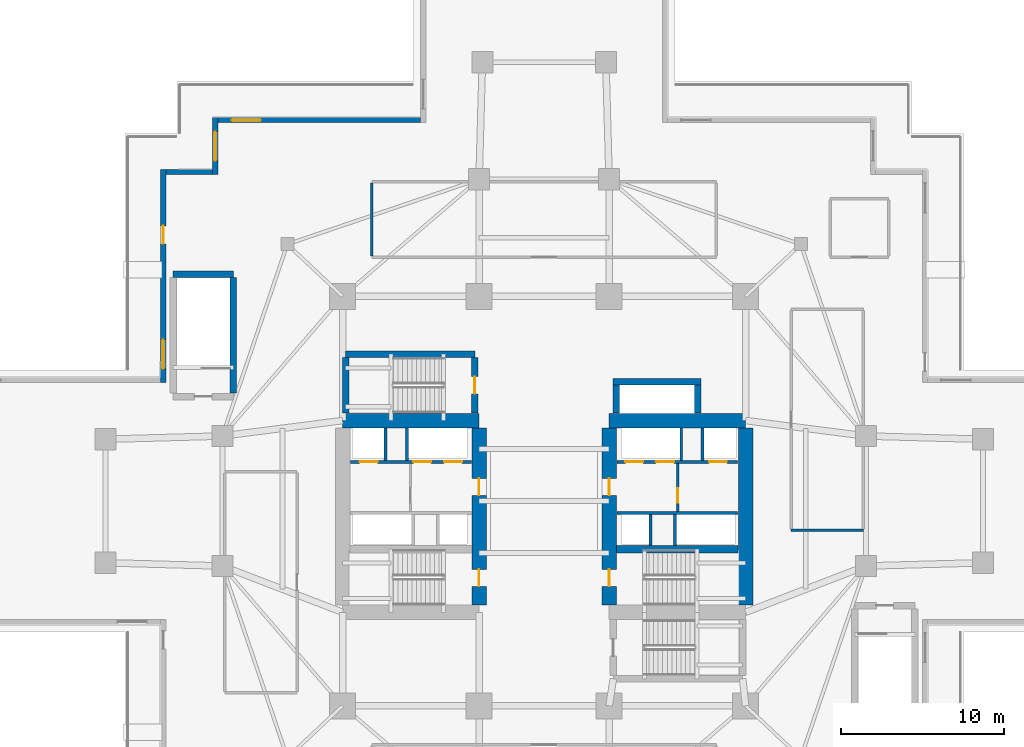
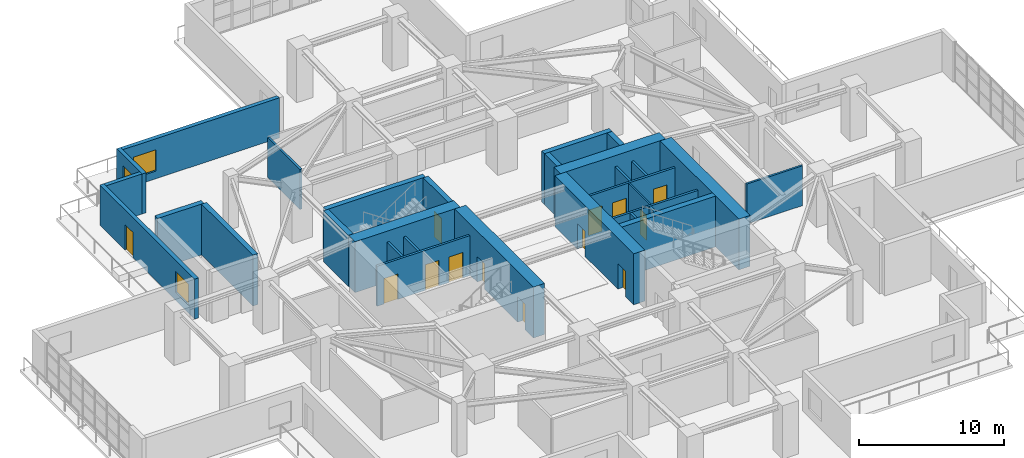
# One storey, part 16 of 24: 30 walls, 13 doors, 3 windows, 16 openings.
"""IFC4 building model written with IfcOpenShell, lengths in metres."""

from ifc_helpers import new_model, si_unit, direction, frame, frame_2d, origin, place, context, subcontext, project, spatial, rectangle, extrude, material, layer, layer_set, type_object, element, fill, save


model = new_model("IFC4")

# Units and contexts
model_context = context("Model", 3, precision=1e-05, world=origin(), true_north=direction((0.0, 1.0)))
body_context = subcontext(model_context, "Body", "Model", "MODEL_VIEW")
ifc_project = project(units=[si_unit("LENGTHUNIT", "METRE"), si_unit("AREAUNIT", "SQUARE_METRE"), si_unit("VOLUMEUNIT", "CUBIC_METRE"), si_unit("PLANEANGLEUNIT", "RADIAN"), si_unit("MASSUNIT", "GRAM", prefix="KILO")], contexts=[model_context])

# Site, building, storey
site_placement = place(None, origin())
site = spatial("IfcSite", under=ifc_project, at=site_placement, CompositionType="ELEMENT")
building_placement = place(site_placement, origin())
building = spatial("IfcBuilding", under=site, at=building_placement, Name="Qingluan Cross Belvedere", CompositionType="ELEMENT")
storey_placement = place(building_placement, frame((0.0, 0.0, 19.199951171875)))
storey = spatial("IfcBuildingStorey", under=building, at=storey_placement, Name="L05", CompositionType="ELEMENT", Elevation=19.199951171875)

# Walls
ifc_material_1 = material(Name="Concrete C50", Category="concrete")
ifc_layer_1 = layer(ifc_material_1, 0.449951171875, Name="CoreShearWall_450")
ifc_layer_set_1 = layer_set([ifc_layer_1], Name="Concrete C50")
wall_type_1 = type_object("IfcWallType", Name="CoreShearWall_450", PredefinedType="SHEAR", material=ifc_layer_set_1)
wall_1_placement = place(storey_placement, frame((4.455078125, -2.9599609375, 0.0), z_axis=(0.0, 0.0, 1.0), x_axis=(1.0, 0.0, 0.0)))
element("IfcWall", 1, at=wall_1_placement, inside=storey, type_object=wall_type_1, Name="Split core E shear wall L05-M", PredefinedType="SHEAR", context=body_context, shape_type="SweptSolid", body=[
    extrude(rectangle(XDim=7.489990234375, YDim=0.449951171875, at=frame_2d((3.7451171875, 0.0))), origin(), (0.0, 0.0, 1.0), 4.300048828125),
])
wall_2_placement = place(storey_placement, frame((-12.219970703125, 9.0400390625, 0.0), z_axis=(0.0, 0.0, 1.0), x_axis=(1.0, 0.0, 0.0)))
element("IfcWall", 2, at=wall_2_placement, inside=storey, type_object=wall_type_1, Name="Stair ST3 structural wall N L05", PredefinedType="SHEAR", context=body_context, shape_type="SweptSolid", body=[
    extrude(rectangle(XDim=7.9599609375, YDim=0.39990234375, at=frame_2d((3.97998046875, 0.0))), origin(), (0.0, 0.0, 1.0), 4.300048828125),
])
wall_3_placement = place(storey_placement, frame((-12.219970703125, 5.405029296875, 0.0), z_axis=(0.0, 0.0, 1.0), x_axis=(0.0, 1.0, 0.0)))
element("IfcWall", 3, at=wall_3_placement, inside=storey, type_object=wall_type_1, Name="Stair ST3 structural wall W L05", PredefinedType="SHEAR", context=body_context, shape_type="SweptSolid", body=[
    extrude(rectangle(XDim=3.429931640625, YDim=0.39990234375, at=frame_2d((1.71484375, 0.0))), origin(), (0.0, 0.0, 1.0), 4.300048828125),
])

# Wall, opening, door
wall_4_placement = place(storey_placement, frame((-4.260009765625, 5.405029296875, 0.0), z_axis=(0.0, 0.0, 1.0), x_axis=(0.0, 1.0, 0.0)))
wall_4 = element("IfcWall", 4, at=wall_4_placement, inside=storey, type_object=wall_type_1, Name="Stair ST3 structural wall E L05", PredefinedType="SHEAR", context=body_context, shape_type="SweptSolid", body=[
    extrude(rectangle(XDim=3.429931640625, YDim=0.39990234375, at=frame_2d((1.71484375, 0.0))), origin(), (0.0, 0.0, 1.0), 4.300048828125),
])
opening_1_placement = place(wall_4_placement, frame((1.195068359375, 0.0, 0.0)))
opening_1 = element("IfcOpeningElement", 5, at=opening_1_placement, cuts=wall_4, Name="Opening FD-B11", PredefinedType="OPENING", context=body_context, shape_type="SweptSolid", body=[
    extrude(rectangle(XDim=1.050048828125, YDim=2.14990234375, at=frame_2d((0.52490234375, 1.074951171875))), frame((0.0, 0.2099609375, 0.0), z_axis=(0.0, -1.0, 0.0), x_axis=(1.0, 0.0, 0.0)), (0.0, 0.0, 1.0), 0.419921875),
])
ifc_material_2 = material(Name="Steel Class B smoke-seal fire door", Category="steel")
door_type_1 = type_object("IfcDoorType", Name="StairLobbyFireDoor_FDB", OperationType="NOTDEFINED", PredefinedType="DOOR", material=ifc_material_2)
door_1_placement = place(opening_1_placement, origin())
door_1 = element("IfcDoor", 6, at=door_1_placement, inside=storey, type_object=door_type_1, Name="Smoke-proof stair ST3 fire door L05", OperationType="SINGLE_SWING_RIGHT", OverallHeight=2.14990234375, OverallWidth=1.050048828125, PredefinedType="DOOR", context=body_context, shape_type="SweptSolid", body=[
    extrude(rectangle(XDim=1.050048828125, YDim=2.14990234375, at=frame_2d((0.52490234375, 1.074951171875))), frame((0.0, 0.02490234375, 0.0), z_axis=(0.0, -1.0, 0.0), x_axis=(1.0, 0.0, 0.0)), (0.0, 0.0, 1.0), 0.050048828125),
])
fill(opening_1, door_1)

# Walls
wall_5_placement = place(storey_placement, frame((-22.820068359375, 13.949951171875, 0.0), z_axis=(0.0, 0.0, 1.0), x_axis=(1.0, 0.0, 0.0)))
element("IfcWall", 7, at=wall_5_placement, inside=storey, type_object=wall_type_1, Name="Stair ST5 structural wall N L05", PredefinedType="SHEAR", context=body_context, shape_type="SweptSolid", body=[
    extrude(rectangle(XDim=3.699951171875, YDim=0.39990234375, at=frame_2d((1.85009765625, 0.0))), origin(), (0.0, 0.0, 1.0), 4.300048828125),
])
wall_6_placement = place(storey_placement, frame((-19.1201171875, 6.635009765625, 0.0), z_axis=(0.0, 0.0, 1.0), x_axis=(0.0, 1.0, 0.0)))
element("IfcWall", 8, at=wall_6_placement, inside=storey, type_object=wall_type_1, Name="Stair ST5 structural wall E L05", PredefinedType="SHEAR", context=body_context, shape_type="SweptSolid", body=[
    extrude(rectangle(XDim=7.110107421875, YDim=0.39990234375, at=frame_2d((3.55517578125, 0.0))), origin(), (0.0, 0.0, 1.0), 4.300048828125),
])
wall_7_placement = place(storey_placement, frame((4.449951171875, 5.405029296875, 0.0), z_axis=(0.0, 0.0, 1.0), x_axis=(0.0, 1.0, 0.0)))
element("IfcWall", 9, at=wall_7_placement, inside=storey, type_object=wall_type_1, Name="Express shuttle core wall L05-W", PredefinedType="SHEAR", context=body_context, shape_type="SweptSolid", body=[
    extrude(rectangle(XDim=1.73486328125, YDim=0.39990234375, at=frame_2d((0.867431640625, 0.0))), origin(), (0.0, 0.0, 1.0), 4.300048828125),
])
wall_8_placement = place(storey_placement, frame((4.25, 7.35009765625, 0.0), z_axis=(0.0, 0.0, 1.0), x_axis=(1.0, 0.0, 0.0)))
element("IfcWall", 10, at=wall_8_placement, inside=storey, type_object=wall_type_1, Name="Express shuttle core wall L05-N", PredefinedType="SHEAR", context=body_context, shape_type="SweptSolid", body=[
    extrude(rectangle(XDim=5.39990234375, YDim=0.39990234375, at=frame_2d((2.699951171875, 0.0))), origin(), (0.0, 0.0, 1.0), 4.300048828125),
])
wall_9_placement = place(storey_placement, frame((9.449951171875, 5.405029296875, 0.0), z_axis=(0.0, 0.0, 1.0), x_axis=(0.0, 1.0, 0.0)))
element("IfcWall", 11, at=wall_9_placement, inside=storey, type_object=wall_type_1, Name="Express shuttle core wall L05-E", PredefinedType="SHEAR", context=body_context, shape_type="SweptSolid", body=[
    extrude(rectangle(XDim=1.73486328125, YDim=0.39990234375, at=frame_2d((0.867431640625, 0.0))), origin(), (0.0, 0.0, 1.0), 4.300048828125),
])
ifc_material_3 = material(Name="Concrete C70", Category="concrete")
ifc_layer_2 = layer(ifc_material_3, 0.89990234375, Name="CoreShearWall_900")
ifc_layer_set_2 = layer_set([ifc_layer_2], Name="Concrete C70")
wall_type_2 = type_object("IfcWallType", Name="CoreShearWall_900", PredefinedType="SHEAR", material=ifc_layer_set_2)
wall_10_placement = place(storey_placement, frame((-12.39990234375, 4.949951171875, 0.0), z_axis=(0.0, 0.0, 1.0), x_axis=(1.0, 0.0, 0.0)))
element("IfcWall", 12, at=wall_10_placement, inside=storey, type_object=wall_type_2, Name="Split core W shear wall L05-N", PredefinedType="SHEAR", context=body_context, shape_type="SweptSolid", body=[
    extrude(rectangle(XDim=8.39990234375, YDim=0.89990234375, at=frame_2d((4.199951171875, 0.0))), origin(), (0.0, 0.0, 1.0), 4.300048828125),
])

# Wall, openings, doors
wall_11_placement = place(storey_placement, frame((-4.0, -6.39501953125, 0.0), z_axis=(0.0, 0.0, 1.0), x_axis=(0.0, 1.0, 0.0)))
wall_11 = element("IfcWall", 13, at=wall_11_placement, inside=storey, type_object=wall_type_2, Name="Split core W shear wall L05-E", PredefinedType="SHEAR", context=body_context, shape_type="SweptSolid", body=[
    extrude(rectangle(XDim=10.89013671875, YDim=0.89990234375, at=frame_2d((5.445068359375, 0.0))), origin(), (0.0, 0.0, 1.0), 4.300048828125),
])
opening_2_placement = place(wall_11_placement, frame((1.14501953125, 0.0, 0.0)))
opening_2 = element("IfcOpeningElement", 14, at=opening_2_placement, cuts=wall_11, Name="Opening FD-B11", PredefinedType="OPENING", context=body_context, shape_type="SweptSolid", body=[
    extrude(rectangle(XDim=1.050048828125, YDim=2.14990234375, at=frame_2d((0.52490234375, 1.074951171875))), frame((0.0, 0.4599609375, 0.0), z_axis=(0.0, -1.0, 0.0), x_axis=(1.0, 0.0, 0.0)), (0.0, 0.0, 1.0), 0.919921875),
])
opening_3_placement = place(wall_11_placement, frame((6.7451171875, 0.0, 0.0)))
opening_3 = element("IfcOpeningElement", 15, at=opening_3_placement, cuts=wall_11, Name="Opening FD-B11", PredefinedType="OPENING", context=body_context, shape_type="SweptSolid", body=[
    extrude(rectangle(XDim=1.050048828125, YDim=2.14990234375, at=frame_2d((0.52490234375, 1.074951171875))), frame((0.0, 0.4599609375, 0.0), z_axis=(0.0, -1.0, 0.0), x_axis=(1.0, 0.0, 0.0)), (0.0, 0.0, 1.0), 0.919921875),
])
door_2_placement = place(opening_2_placement, origin())
door_2 = element("IfcDoor", 16, at=door_2_placement, inside=storey, type_object=door_type_1, Name="Smoke-proof stair ST1 fire door L05", OperationType="SINGLE_SWING_RIGHT", OverallHeight=2.14990234375, OverallWidth=1.050048828125, PredefinedType="DOOR", context=body_context, shape_type="SweptSolid", body=[
    extrude(rectangle(XDim=1.050048828125, YDim=2.14990234375, at=frame_2d((0.52490234375, 1.074951171875))), frame((0.0, 0.02490234375, 0.0), z_axis=(0.0, -1.0, 0.0), x_axis=(1.0, 0.0, 0.0)), (0.0, 0.0, 1.0), 0.050048828125),
])
fill(opening_2, door_2)
door_3_placement = place(opening_3_placement, origin())
door_3 = element("IfcDoor", 17, at=door_3_placement, inside=storey, type_object=door_type_1, Name="Firefighting lobby West fire door L05", OperationType="SINGLE_SWING_RIGHT", OverallHeight=2.14990234375, OverallWidth=1.050048828125, PredefinedType="DOOR", context=body_context, shape_type="SweptSolid", body=[
    extrude(rectangle(XDim=1.050048828125, YDim=2.14990234375, at=frame_2d((0.52490234375, 1.074951171875))), frame((0.0, 0.02490234375, 0.0), z_axis=(0.0, -1.0, 0.0), x_axis=(1.0, 0.0, 0.0)), (0.0, 0.0, 1.0), 0.050048828125),
])
fill(opening_3, door_3)

# Wall
wall_12_placement = place(storey_placement, frame((4.0, 4.949951171875, 0.0), z_axis=(0.0, 0.0, 1.0), x_axis=(1.0, 0.0, 0.0)))
element("IfcWall", 18, at=wall_12_placement, inside=storey, type_object=wall_type_2, Name="Split core E shear wall L05-N", PredefinedType="SHEAR", context=body_context, shape_type="SweptSolid", body=[
    extrude(rectangle(XDim=8.39990234375, YDim=0.89990234375, at=frame_2d((4.199951171875, 0.0))), origin(), (0.0, 0.0, 1.0), 4.300048828125),
])

# Wall, openings, doors
wall_13_placement = place(storey_placement, frame((4.0, -6.39501953125, 0.0), z_axis=(0.0, 0.0, 1.0), x_axis=(0.0, 1.0, 0.0)))
wall_13 = element("IfcWall", 19, at=wall_13_placement, inside=storey, type_object=wall_type_2, Name="Split core E shear wall L05-W", PredefinedType="SHEAR", context=body_context, shape_type="SweptSolid", body=[
    extrude(rectangle(XDim=10.89013671875, YDim=0.89990234375, at=frame_2d((5.445068359375, 0.0))), origin(), (0.0, 0.0, 1.0), 4.300048828125),
])
opening_4_placement = place(wall_13_placement, frame((1.14501953125, 0.0, 0.0)))
opening_4 = element("IfcOpeningElement", 20, at=opening_4_placement, cuts=wall_13, Name="Opening FD-B11", PredefinedType="OPENING", context=body_context, shape_type="SweptSolid", body=[
    extrude(rectangle(XDim=1.050048828125, YDim=2.14990234375, at=frame_2d((0.52490234375, 1.074951171875))), frame((0.0, 0.4599609375, 0.0), z_axis=(0.0, -1.0, 0.0), x_axis=(1.0, 0.0, 0.0)), (0.0, 0.0, 1.0), 0.919921875),
])
opening_5_placement = place(wall_13_placement, frame((6.7451171875, 0.0, 0.0)))
opening_5 = element("IfcOpeningElement", 21, at=opening_5_placement, cuts=wall_13, Name="Opening FD-B11", PredefinedType="OPENING", context=body_context, shape_type="SweptSolid", body=[
    extrude(rectangle(XDim=1.050048828125, YDim=2.14990234375, at=frame_2d((0.52490234375, 1.074951171875))), frame((0.0, 0.4599609375, 0.0), z_axis=(0.0, -1.0, 0.0), x_axis=(1.0, 0.0, 0.0)), (0.0, 0.0, 1.0), 0.919921875),
])
door_4_placement = place(opening_4_placement, origin())
door_4 = element("IfcDoor", 22, at=door_4_placement, inside=storey, type_object=door_type_1, Name="Smoke-proof stair ST2 fire door L05", OperationType="SINGLE_SWING_LEFT", OverallHeight=2.14990234375, OverallWidth=1.050048828125, PredefinedType="DOOR", context=body_context, shape_type="SweptSolid", body=[
    extrude(rectangle(XDim=1.050048828125, YDim=2.14990234375, at=frame_2d((0.52490234375, 1.074951171875))), frame((0.0, 0.02490234375, 0.0), z_axis=(0.0, -1.0, 0.0), x_axis=(1.0, 0.0, 0.0)), (0.0, 0.0, 1.0), 0.050048828125),
])
fill(opening_4, door_4)
door_5_placement = place(opening_5_placement, origin())
door_5 = element("IfcDoor", 23, at=door_5_placement, inside=storey, type_object=door_type_1, Name="Firefighting lobby East fire door L05", OperationType="SINGLE_SWING_LEFT", OverallHeight=2.14990234375, OverallWidth=1.050048828125, PredefinedType="DOOR", context=body_context, shape_type="SweptSolid", body=[
    extrude(rectangle(XDim=1.050048828125, YDim=2.14990234375, at=frame_2d((0.52490234375, 1.074951171875))), frame((0.0, 0.02490234375, 0.0), z_axis=(0.0, -1.0, 0.0), x_axis=(1.0, 0.0, 0.0)), (0.0, 0.0, 1.0), 0.050048828125),
])
fill(opening_5, door_5)

# Walls
wall_14_placement = place(storey_placement, frame((12.39990234375, -6.39501953125, 0.0), z_axis=(0.0, 0.0, 1.0), x_axis=(0.0, 1.0, 0.0)))
element("IfcWall", 24, at=wall_14_placement, inside=storey, type_object=wall_type_2, Name="Split core E shear wall L05-E", PredefinedType="SHEAR", context=body_context, shape_type="SweptSolid", body=[
    extrude(rectangle(XDim=10.89013671875, YDim=0.89990234375, at=frame_2d((5.445068359375, 0.0))), origin(), (0.0, 0.0, 1.0), 4.300048828125),
])
ifc_material_4 = material(Name="Gypsum plasterboard on steel stud acoustic partition", Category="steel")
ifc_layer_3 = layer(ifc_material_4, 0.159912109375, Name="CorridorPartition_160")
ifc_layer_set_3 = layer_set([ifc_layer_3], Name="Gypsum plasterboard on steel stud acoustic partition")
wall_type_3 = type_object("IfcWallType", Name="CorridorPartition_160", PredefinedType="PARTITIONING", material=ifc_layer_set_3)
wall_15_placement = place(storey_placement, frame((-10.60009765625, 15.0849609375, 0.0), z_axis=(0.0, 0.0, 1.0), x_axis=(0.0, 1.0, 0.0)))
element("IfcWall", 25, at=wall_15_placement, inside=storey, type_object=wall_type_3, Name="Partition L05:pod_n:W", PredefinedType="PARTITIONING", context=body_context, shape_type="SweptSolid", body=[
    extrude(rectangle(XDim=4.47998046875, YDim=0.159912109375, at=frame_2d((2.239990234375, 0.0))), origin(), (0.0, 0.0, 1.0), 3.3701171875),
])
wall_16_placement = place(storey_placement, frame((15.199951171875, -1.800048828125, 0.0), z_axis=(0.0, 0.0, 1.0), x_axis=(1.0, 0.0, 0.0)))
element("IfcWall", 26, at=wall_16_placement, inside=storey, type_object=wall_type_3, Name="Partition L05:pod_e:S", PredefinedType="PARTITIONING", context=body_context, shape_type="SweptSolid", body=[
    extrude(rectangle(XDim=4.449951171875, YDim=0.159912109375, at=frame_2d((2.22509765625, 0.0))), origin(), (0.0, 0.0, 1.0), 3.3701171875),
])

# Wall, openings, window, door
ifc_material_5 = material(Name="Precast concrete C45", Category="concrete")
ifc_layer_4 = layer(ifc_material_5, 0.320068359375, Name="PrecastPodiumWall_320")
ifc_layer_set_4 = layer_set([ifc_layer_4], Name="Precast concrete C45")
wall_type_4 = type_object("IfcWallType", Name="PrecastPodiumWall_320", PredefinedType="STANDARD", material=ifc_layer_set_4)
wall_17_placement = place(storey_placement, frame((-23.43994140625, 7.280029296875, 0.0), z_axis=(0.0, 0.0, 1.0), x_axis=(0.0, 1.0, 0.0)))
wall_17 = element("IfcWall", 27, at=wall_17_placement, inside=storey, type_object=wall_type_4, Name="Podium precast facade wall L05-S14", PredefinedType="STANDARD", context=body_context, shape_type="SweptSolid", body=[
    extrude(rectangle(XDim=13.119873046875, YDim=0.320068359375, at=frame_2d((6.56005859375, 0.0))), origin(), (0.0, 0.0, 1.0), 3.380126953125),
])
opening_6_placement = place(wall_17_placement, frame((0.85009765625, 0.0, 0.64990234375)))
opening_6 = element("IfcOpeningElement", 28, at=opening_6_placement, cuts=wall_17, Name="Opening W-06", PredefinedType="OPENING", context=body_context, shape_type="SweptSolid", body=[
    extrude(rectangle(XDim=1.800048828125, YDim=1.800048828125, at=frame_2d((0.89990234375, 0.89990234375))), frame((0.0, 0.169921875, 0.0), z_axis=(0.0, -1.0, 0.0), x_axis=(1.0, 0.0, 0.0)), (0.0, 0.0, 1.0), 0.340087890625),
])
opening_7_placement = place(wall_17_placement, frame((8.550048828125, 0.0, 0.0)))
opening_7 = element("IfcOpeningElement", 29, at=opening_7_placement, cuts=wall_17, Name="Opening TD-11", PredefinedType="OPENING", context=body_context, shape_type="SweptSolid", body=[
    extrude(rectangle(XDim=1.10009765625, YDim=2.14990234375, at=frame_2d((0.550048828125, 1.074951171875))), frame((0.0, 0.169921875, 0.0), z_axis=(0.0, -1.0, 0.0), x_axis=(1.0, 0.0, 0.0)), (0.0, 0.0, 1.0), 0.340087890625),
])
ifc_material_6 = material(Name="Thermally broken triple Low-E glass in aluminium frame", Category="aluminium")
window_type = type_object("IfcWindowType", Name="PodiumGalleryWin_1800x1800", PartitioningType="SINGLE_PANEL", PredefinedType="WINDOW", material=ifc_material_6)
window_1_placement = place(opening_6_placement, origin())
window_1 = element("IfcWindow", 30, at=window_1_placement, inside=storey, type_object=window_type, Name="Podium gallery window L05-S14", OverallHeight=1.800048828125, OverallWidth=1.800048828125, PartitioningType="SINGLE_PANEL", PredefinedType="WINDOW", context=body_context, shape_type="SweptSolid", body=[
    extrude(rectangle(XDim=1.800048828125, YDim=1.800048828125, at=frame_2d((0.89990234375, 0.89990234375))), frame((0.0, 0.030029296875, 0.0), z_axis=(0.0, -1.0, 0.0), x_axis=(1.0, 0.0, 0.0)), (0.0, 0.0, 1.0), 0.06005859375),
])
fill(opening_6, window_1)
ifc_material_7 = material(Name="Thermally broken aluminium and Low-E glass", Category="aluminium")
door_type_2 = type_object("IfcDoorType", Name="TerraceGlazedDoor_1100", OperationType="NOTDEFINED", PredefinedType="DOOR", material=ifc_material_7)
door_6_placement = place(opening_7_placement, origin())
door_6 = element("IfcDoor", 31, at=door_6_placement, inside=storey, type_object=door_type_2, Name="Cascade terrace door L05-2", OperationType="SINGLE_SWING_LEFT", OverallHeight=2.14990234375, OverallWidth=1.10009765625, PredefinedType="DOOR", context=body_context, shape_type="SweptSolid", body=[
    extrude(rectangle(XDim=1.10009765625, YDim=2.14990234375, at=frame_2d((0.550048828125, 1.074951171875))), frame((0.0, 0.02490234375, 0.0), z_axis=(0.0, -1.0, 0.0), x_axis=(1.0, 0.0, 0.0)), (0.0, 0.0, 1.0), 0.050048828125),
])
fill(opening_7, door_6)

# Wall
wall_18_placement = place(storey_placement, frame((-23.280029296875, 20.239990234375, 0.0), z_axis=(0.0, 0.0, 1.0), x_axis=(1.0, 0.0, 0.0)))
element("IfcWall", 32, at=wall_18_placement, inside=storey, type_object=wall_type_4, Name="Podium precast facade wall L05-S15", PredefinedType="STANDARD", context=body_context, shape_type="SweptSolid", body=[
    extrude(rectangle(XDim=2.880126953125, YDim=0.320068359375, at=frame_2d((1.43994140625, 0.0))), origin(), (0.0, 0.0, 1.0), 3.380126953125),
])

# Wall, opening, window
wall_19_placement = place(storey_placement, frame((-20.239990234375, 20.080078125, 0.0), z_axis=(0.0, 0.0, 1.0), x_axis=(0.0, 1.0, 0.0)))
wall_19 = element("IfcWall", 33, at=wall_19_placement, inside=storey, type_object=wall_type_4, Name="Podium precast facade wall L05-S16", PredefinedType="STANDARD", context=body_context, shape_type="SweptSolid", body=[
    extrude(rectangle(XDim=3.52001953125, YDim=0.320068359375, at=frame_2d((1.760009765625, 0.0))), origin(), (0.0, 0.0, 1.0), 3.380126953125),
])
opening_8_placement = place(wall_19_placement, frame((0.85009765625, 0.0, 0.64990234375)))
opening_8 = element("IfcOpeningElement", 34, at=opening_8_placement, cuts=wall_19, Name="Opening W-06", PredefinedType="OPENING", context=body_context, shape_type="SweptSolid", body=[
    extrude(rectangle(XDim=1.800048828125, YDim=1.800048828125, at=frame_2d((0.89990234375, 0.89990234375))), frame((0.0, 0.169921875, 0.0), z_axis=(0.0, -1.0, 0.0), x_axis=(1.0, 0.0, 0.0)), (0.0, 0.0, 1.0), 0.340087890625),
])
window_2_placement = place(opening_8_placement, origin())
window_2 = element("IfcWindow", 35, at=window_2_placement, inside=storey, type_object=window_type, Name="Podium gallery window L05-S16", OverallHeight=1.800048828125, OverallWidth=1.800048828125, PartitioningType="SINGLE_PANEL", PredefinedType="WINDOW", context=body_context, shape_type="SweptSolid", body=[
    extrude(rectangle(XDim=1.800048828125, YDim=1.800048828125, at=frame_2d((0.89990234375, 0.89990234375))), frame((0.0, 0.030029296875, 0.0), z_axis=(0.0, -1.0, 0.0), x_axis=(1.0, 0.0, 0.0)), (0.0, 0.0, 1.0), 0.06005859375),
])
fill(opening_8, window_2)

wall_20_placement = place(storey_placement, frame((-20.080078125, 23.43994140625, 0.0), z_axis=(0.0, 0.0, 1.0), x_axis=(1.0, 0.0, 0.0)))
wall_20 = element("IfcWall", 36, at=wall_20_placement, inside=storey, type_object=wall_type_4, Name="Podium precast facade wall L05-S17", PredefinedType="STANDARD", context=body_context, shape_type="SweptSolid", body=[
    extrude(rectangle(XDim=12.47998046875, YDim=0.320068359375, at=frame_2d((6.239990234375, 0.0))), origin(), (0.0, 0.0, 1.0), 3.380126953125),
])
opening_9_placement = place(wall_20_placement, frame((0.85009765625, 0.0, 0.64990234375)))
opening_9 = element("IfcOpeningElement", 37, at=opening_9_placement, cuts=wall_20, Name="Opening W-06", PredefinedType="OPENING", context=body_context, shape_type="SweptSolid", body=[
    extrude(rectangle(XDim=1.800048828125, YDim=1.800048828125, at=frame_2d((0.89990234375, 0.89990234375))), frame((0.0, 0.169921875, 0.0), z_axis=(0.0, -1.0, 0.0), x_axis=(1.0, 0.0, 0.0)), (0.0, 0.0, 1.0), 0.340087890625),
])
window_3_placement = place(opening_9_placement, origin())
window_3 = element("IfcWindow", 38, at=window_3_placement, inside=storey, type_object=window_type, Name="Podium gallery window L05-S17", OverallHeight=1.800048828125, OverallWidth=1.800048828125, PartitioningType="SINGLE_PANEL", PredefinedType="WINDOW", context=body_context, shape_type="SweptSolid", body=[
    extrude(rectangle(XDim=1.800048828125, YDim=1.800048828125, at=frame_2d((0.89990234375, 0.89990234375))), frame((0.0, 0.030029296875, 0.0), z_axis=(0.0, -1.0, 0.0), x_axis=(1.0, 0.0, 0.0)), (0.0, 0.0, 1.0), 0.06005859375),
])
fill(opening_9, window_3)

# Wall, openings, doors
ifc_material_8 = material(Name="Concrete C40", Category="concrete")
ifc_layer_5 = layer(ifc_material_8, 0.219970703125, Name="ShaftEnclosureWall_250")
ifc_layer_set_5 = layer_set([ifc_layer_5], Name="Concrete C40")
wall_type_5 = type_object("IfcWallType", Name="ShaftEnclosureWall_250", PredefinedType="SOLIDWALL", material=ifc_layer_set_5)
wall_21_placement = place(storey_placement, frame((-11.89990234375, 2.409912109375, 0.0), z_axis=(0.0, 0.0, 1.0), x_axis=(1.0, 0.0, 0.0)))
wall_21 = element("IfcWall", 39, at=wall_21_placement, inside=storey, type_object=wall_type_5, Name="Core-W north hoistway wall L05", PredefinedType="SOLIDWALL", context=body_context, shape_type="SweptSolid", body=[
    extrude(rectangle(XDim=7.419921875, YDim=0.179931640625, at=frame_2d((3.7099609375, 0.0))), origin(), (0.0, 0.0, 1.0), 3.3701171875),
])
opening_10_placement = place(wall_21_placement, frame((0.550048828125, 0.0, 0.0)))
opening_10 = element("IfcOpeningElement", 40, at=opening_10_placement, cuts=wall_21, Name="Opening LD-11", PredefinedType="OPENING", context=body_context, shape_type="SweptSolid", body=[
    extrude(rectangle(XDim=1.10009765625, YDim=2.14990234375, at=frame_2d((0.550048828125, 1.074951171875))), frame((0.0, 0.099853515625, 0.0), z_axis=(0.0, -1.0, 0.0), x_axis=(1.0, 0.0, 0.0)), (0.0, 0.0, 1.0), 0.199951171875),
])
opening_11_placement = place(wall_21_placement, frame((3.85009765625, 0.0, 0.0)))
opening_11 = element("IfcOpeningElement", 41, at=opening_11_placement, cuts=wall_21, Name="Opening LD-11", PredefinedType="OPENING", context=body_context, shape_type="SweptSolid", body=[
    extrude(rectangle(XDim=1.10009765625, YDim=2.14990234375, at=frame_2d((0.550048828125, 1.074951171875))), frame((0.0, 0.099853515625, 0.0), z_axis=(0.0, -1.0, 0.0), x_axis=(1.0, 0.0, 0.0)), (0.0, 0.0, 1.0), 0.199951171875),
])
opening_12_placement = place(wall_21_placement, frame((5.75, 0.0, 0.0)))
opening_12 = element("IfcOpeningElement", 42, at=opening_12_placement, cuts=wall_21, Name="Opening LD-11", PredefinedType="OPENING", context=body_context, shape_type="SweptSolid", body=[
    extrude(rectangle(XDim=1.10009765625, YDim=2.14990234375, at=frame_2d((0.550048828125, 1.074951171875))), frame((0.0, 0.099853515625, 0.0), z_axis=(0.0, -1.0, 0.0), x_axis=(1.0, 0.0, 0.0)), (0.0, 0.0, 1.0), 0.199951171875),
])
ifc_material_9 = material(Name="Brushed stainless steel centre-opening lift landing door", Category="steel")
door_type_3 = type_object("IfcDoorType", Name="LiftLandingSlidingDoor_1100", OperationType="DOUBLE_DOOR_SLIDING", PredefinedType="DOOR", material=ifc_material_9)
door_7_placement = place(opening_10_placement, origin())
door_7 = element("IfcDoor", 43, at=door_7_placement, inside=storey, type_object=door_type_3, Name="Lift landing sliding door FL1 L05", OperationType="DOUBLE_DOOR_SLIDING", OverallHeight=2.14990234375, OverallWidth=1.10009765625, PredefinedType="DOOR", context=body_context, shape_type="SweptSolid", body=[
    extrude(rectangle(XDim=1.10009765625, YDim=2.14990234375, at=frame_2d((0.550048828125, 1.074951171875))), frame((0.0, 0.02490234375, 0.0), z_axis=(0.0, -1.0, 0.0), x_axis=(1.0, 0.0, 0.0)), (0.0, 0.0, 1.0), 0.050048828125),
])
fill(opening_10, door_7)
door_8_placement = place(opening_11_placement, origin())
door_8 = element("IfcDoor", 44, at=door_8_placement, inside=storey, type_object=door_type_3, Name="Lift landing sliding door LP1 L05", OperationType="DOUBLE_DOOR_SLIDING", OverallHeight=2.14990234375, OverallWidth=1.10009765625, PredefinedType="DOOR", context=body_context, shape_type="SweptSolid", body=[
    extrude(rectangle(XDim=1.10009765625, YDim=2.14990234375, at=frame_2d((0.550048828125, 1.074951171875))), frame((0.0, 0.02490234375, 0.0), z_axis=(0.0, -1.0, 0.0), x_axis=(1.0, 0.0, 0.0)), (0.0, 0.0, 1.0), 0.050048828125),
])
fill(opening_11, door_8)
door_9_placement = place(opening_12_placement, origin())
door_9 = element("IfcDoor", 45, at=door_9_placement, inside=storey, type_object=door_type_3, Name="Lift landing sliding door LP2 L05", OperationType="DOUBLE_DOOR_SLIDING", OverallHeight=2.14990234375, OverallWidth=1.10009765625, PredefinedType="DOOR", context=body_context, shape_type="SweptSolid", body=[
    extrude(rectangle(XDim=1.10009765625, YDim=2.14990234375, at=frame_2d((0.550048828125, 1.074951171875))), frame((0.0, 0.02490234375, 0.0), z_axis=(0.0, -1.0, 0.0), x_axis=(1.0, 0.0, 0.0)), (0.0, 0.0, 1.0), 0.050048828125),
])
fill(opening_12, door_9)

wall_22_placement = place(storey_placement, frame((4.47998046875, 2.409912109375, 0.0), z_axis=(0.0, 0.0, 1.0), x_axis=(1.0, 0.0, 0.0)))
wall_22 = element("IfcWall", 46, at=wall_22_placement, inside=storey, type_object=wall_type_5, Name="Core-E north hoistway wall L05", PredefinedType="SOLIDWALL", context=body_context, shape_type="SweptSolid", body=[
    extrude(rectangle(XDim=7.419921875, YDim=0.179931640625, at=frame_2d((3.7099609375, 0.0))), origin(), (0.0, 0.0, 1.0), 3.3701171875),
])
opening_13_placement = place(wall_22_placement, frame((5.669921875, 0.0, 0.0)))
opening_13 = element("IfcOpeningElement", 47, at=opening_13_placement, cuts=wall_22, Name="Opening LD-11", PredefinedType="OPENING", context=body_context, shape_type="SweptSolid", body=[
    extrude(rectangle(XDim=1.10009765625, YDim=2.14990234375, at=frame_2d((0.550048828125, 1.074951171875))), frame((0.0, 0.099853515625, 0.0), z_axis=(0.0, -1.0, 0.0), x_axis=(1.0, 0.0, 0.0)), (0.0, 0.0, 1.0), 0.199951171875),
])
opening_14_placement = place(wall_22_placement, frame((0.52001953125, 0.0, 0.0)))
opening_14 = element("IfcOpeningElement", 48, at=opening_14_placement, cuts=wall_22, Name="Opening LD-11", PredefinedType="OPENING", context=body_context, shape_type="SweptSolid", body=[
    extrude(rectangle(XDim=1.10009765625, YDim=2.14990234375, at=frame_2d((0.550048828125, 1.074951171875))), frame((0.0, 0.099853515625, 0.0), z_axis=(0.0, -1.0, 0.0), x_axis=(1.0, 0.0, 0.0)), (0.0, 0.0, 1.0), 0.199951171875),
])
opening_15_placement = place(wall_22_placement, frame((2.419921875, 0.0, 0.0)))
opening_15 = element("IfcOpeningElement", 49, at=opening_15_placement, cuts=wall_22, Name="Opening LD-11", PredefinedType="OPENING", context=body_context, shape_type="SweptSolid", body=[
    extrude(rectangle(XDim=1.10009765625, YDim=2.14990234375, at=frame_2d((0.550048828125, 1.074951171875))), frame((0.0, 0.099853515625, 0.0), z_axis=(0.0, -1.0, 0.0), x_axis=(1.0, 0.0, 0.0)), (0.0, 0.0, 1.0), 0.199951171875),
])
door_10_placement = place(opening_13_placement, origin())
door_10 = element("IfcDoor", 50, at=door_10_placement, inside=storey, type_object=door_type_3, Name="Lift landing sliding door FL2 L05", OperationType="DOUBLE_DOOR_SLIDING", OverallHeight=2.14990234375, OverallWidth=1.10009765625, PredefinedType="DOOR", context=body_context, shape_type="SweptSolid", body=[
    extrude(rectangle(XDim=1.10009765625, YDim=2.14990234375, at=frame_2d((0.550048828125, 1.074951171875))), frame((0.0, 0.02490234375, 0.0), z_axis=(0.0, -1.0, 0.0), x_axis=(1.0, 0.0, 0.0)), (0.0, 0.0, 1.0), 0.050048828125),
])
fill(opening_13, door_10)
door_11_placement = place(opening_14_placement, origin())
door_11 = element("IfcDoor", 51, at=door_11_placement, inside=storey, type_object=door_type_3, Name="Lift landing sliding door LP3 L05", OperationType="DOUBLE_DOOR_SLIDING", OverallHeight=2.14990234375, OverallWidth=1.10009765625, PredefinedType="DOOR", context=body_context, shape_type="SweptSolid", body=[
    extrude(rectangle(XDim=1.10009765625, YDim=2.14990234375, at=frame_2d((0.550048828125, 1.074951171875))), frame((0.0, 0.02490234375, 0.0), z_axis=(0.0, -1.0, 0.0), x_axis=(1.0, 0.0, 0.0)), (0.0, 0.0, 1.0), 0.050048828125),
])
fill(opening_14, door_11)
door_12_placement = place(opening_15_placement, origin())
door_12 = element("IfcDoor", 52, at=door_12_placement, inside=storey, type_object=door_type_3, Name="Lift landing sliding door LP4 L05", OperationType="DOUBLE_DOOR_SLIDING", OverallHeight=2.14990234375, OverallWidth=1.10009765625, PredefinedType="DOOR", context=body_context, shape_type="SweptSolid", body=[
    extrude(rectangle(XDim=1.10009765625, YDim=2.14990234375, at=frame_2d((0.550048828125, 1.074951171875))), frame((0.0, 0.02490234375, 0.0), z_axis=(0.0, -1.0, 0.0), x_axis=(1.0, 0.0, 0.0)), (0.0, 0.0, 1.0), 0.050048828125),
])
fill(opening_15, door_12)

# Walls
wall_23_placement = place(storey_placement, frame((4.47998046875, -0.75, 0.0), z_axis=(0.0, 0.0, 1.0), x_axis=(1.0, 0.0, 0.0)))
element("IfcWall", 53, at=wall_23_placement, inside=storey, type_object=wall_type_5, Name="Core-E mid hoistway wall L05", PredefinedType="SOLIDWALL", context=body_context, shape_type="SweptSolid", body=[
    extrude(rectangle(XDim=7.419921875, YDim=0.179931640625, at=frame_2d((3.7099609375, 0.0))), origin(), (0.0, 0.0, 1.0), 3.3701171875),
])
for number, where, z_axis, x_axis, name in (
    (54, (-9.760009765625, 2.5, 0.0), (0.0, 0.0, 1.0), (0.0, 1.0, 0.0), "Hoistway enclosure divider FL1E L05"),
    (55, (-8.43994140625, 2.5, 0.0), (0.0, 0.0, 1.0), (0.0, 1.0, 0.0), "Hoistway enclosure divider LP1W L05"),
    (56, (8.43994140625, 2.5, 0.0), (0.0, 0.0, 1.0), (0.0, 1.0, 0.0), "Hoistway enclosure divider LP4E L05"),
    (57, (9.760009765625, 2.5, 0.0), (0.0, 0.0, 1.0), (0.0, 1.0, 0.0), "Hoistway enclosure divider FL2W L05"),
):
    element("IfcWall", number, at=place(storey_placement, frame(where, z_axis=z_axis, x_axis=x_axis)), inside=storey, type_object=wall_type_5, Name=name, PredefinedType="SOLIDWALL", context=body_context, shape_type="SweptSolid", body=[
        extrude(rectangle(XDim=1.989990234375, YDim=0.179931640625, at=frame_2d((0.9951171875, 0.0))), origin(), (0.0, 0.0, 1.0), 3.3701171875),
    ])
for number, where, z_axis, x_axis, name in (
    (58, (6.5400390625, -2.72998046875, 0.0), (0.0, 0.0, 1.0), (0.0, 1.0, 0.0), "Hoistway enclosure divider LP7E L05"),
    (59, (8.06005859375, -2.72998046875, 0.0), (0.0, 0.0, 1.0), (0.0, 1.0, 0.0), "Hoistway enclosure divider LP9W L05"),
):
    element("IfcWall", number, at=place(storey_placement, frame(where, z_axis=z_axis, x_axis=x_axis)), inside=storey, type_object=wall_type_5, Name=name, PredefinedType="SOLIDWALL", context=body_context, shape_type="SweptSolid", body=[
        extrude(rectangle(XDim=1.889892578125, YDim=0.179931640625, at=frame_2d((0.94482421875, 0.0))), origin(), (0.0, 0.0, 1.0), 3.3701171875),
    ])

# Wall, opening, door
wall_24_placement = place(storey_placement, frame((8.219970703125, -0.64990234375, 0.0), z_axis=(0.0, 0.0, 1.0), x_axis=(0.0, 1.0, 0.0)))
wall_24 = element("IfcWall", 60, at=wall_24_placement, inside=storey, type_object=wall_type_5, Name="Core-E service corridor wall L05", PredefinedType="SOLIDWALL", context=body_context, shape_type="SweptSolid", body=[
    extrude(rectangle(XDim=2.9599609375, YDim=0.139892578125, at=frame_2d((1.47998046875, 0.0))), origin(), (0.0, 0.0, 1.0), 3.3701171875),
])
opening_16_placement = place(wall_24_placement, frame((0.550048828125, 0.0, 0.0)))
opening_16 = element("IfcOpeningElement", 61, at=opening_16_placement, cuts=wall_24, Name="Opening FD-B10", PredefinedType="OPENING", context=body_context, shape_type="SweptSolid", body=[
    extrude(rectangle(XDim=0.8798828125, YDim=2.10009765625, at=frame_2d((0.43994140625, 1.050048828125))), frame((0.0, 0.079833984375, 0.0), z_axis=(0.0, -1.0, 0.0), x_axis=(1.0, 0.0, 0.0)), (0.0, 0.0, 1.0), 0.159912109375),
])
ifc_material_10 = material(Name="Steel Class B service fire door", Category="steel")
door_type_4 = type_object("IfcDoorType", Name="RiserServiceFireDoor_FDB", OperationType="NOTDEFINED", PredefinedType="DOOR", material=ifc_material_10)
door_13_placement = place(opening_16_placement, origin())
door_13 = element("IfcDoor", 62, at=door_13_placement, inside=storey, type_object=door_type_4, Name="Core-E service room door L05", OperationType="SINGLE_SWING_LEFT", OverallHeight=2.10009765625, OverallWidth=0.8798828125, PredefinedType="DOOR", context=body_context, shape_type="SweptSolid", body=[
    extrude(rectangle(XDim=0.8798828125, YDim=2.10009765625, at=frame_2d((0.43994140625, 1.050048828125))), frame((0.0, 0.02490234375, 0.0), z_axis=(0.0, -1.0, 0.0), x_axis=(1.0, 0.0, 0.0)), (0.0, 0.0, 1.0), 0.050048828125),
])
fill(opening_16, door_13)

save(model, "model.ifc")
